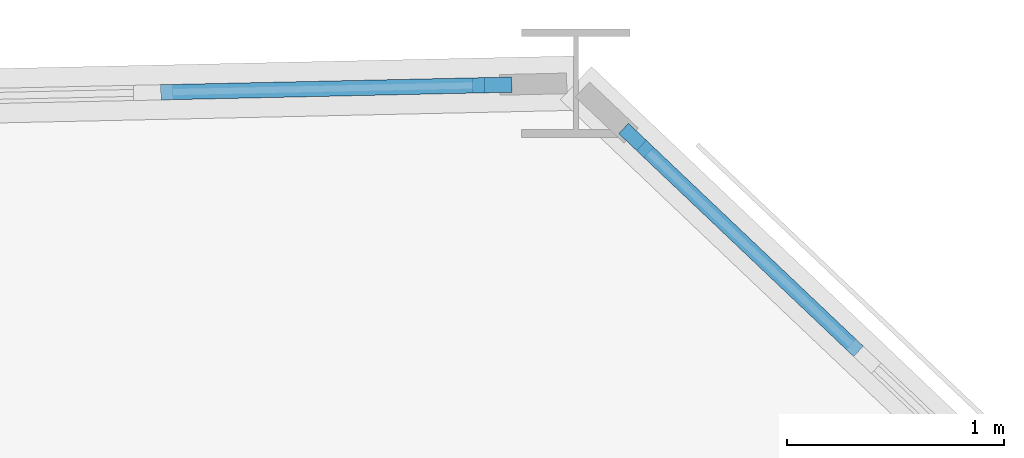
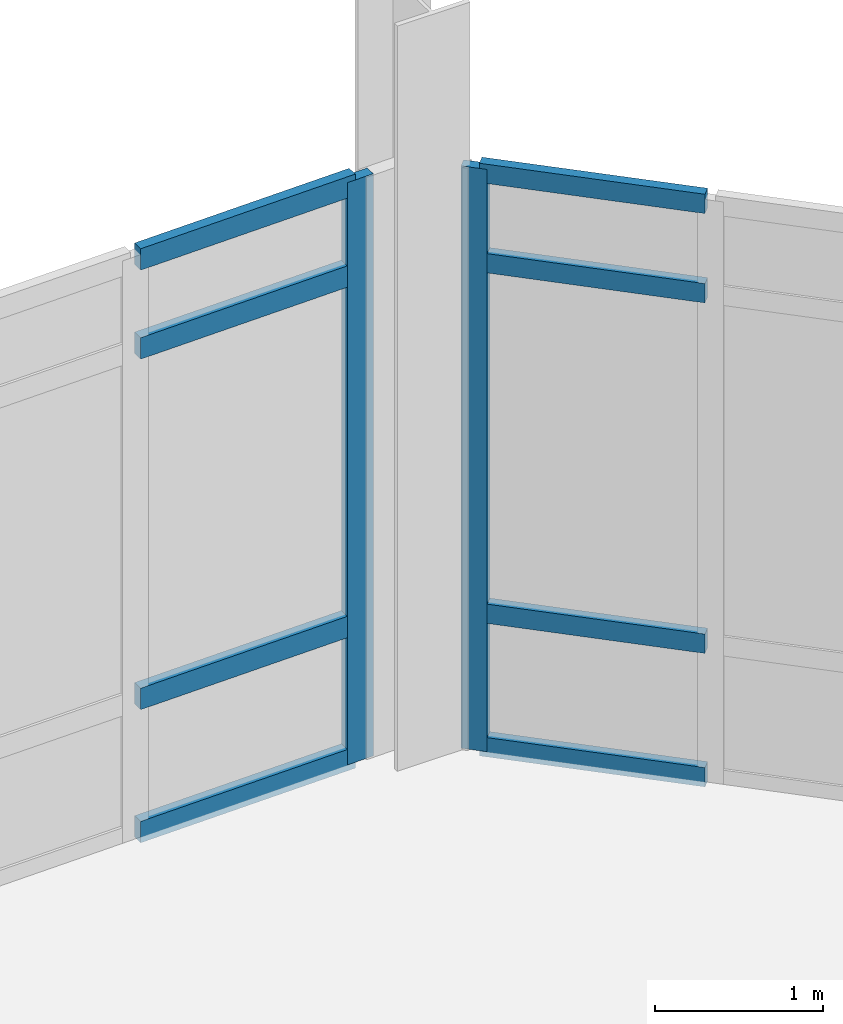
# One storey, part 42 of 113: 10 members, 2 elements without a shape of their own.
"""IFC4 building model written with IfcOpenShell, lengths in metres."""

from ifc_helpers import new_model, si_unit, direction, frame, origin, origin_2d, place, context, subcontext, project, spatial, rectangle, extrude, material, material_profile, profile_set, type_object, element, aggregate, save


model = new_model("IFC4")

# Units and contexts
model_context = context("Model", 3, precision=1e-05, world=origin(), true_north=direction((0.0, 1.0)))
body_context = subcontext(model_context, "Body", "Model", "MODEL_VIEW")
ifc_project = project(units=[si_unit("LENGTHUNIT", "METRE"), si_unit("AREAUNIT", "SQUARE_METRE"), si_unit("VOLUMEUNIT", "CUBIC_METRE"), si_unit("PLANEANGLEUNIT", "RADIAN"), si_unit("MASSUNIT", "GRAM", prefix="KILO")], contexts=[model_context])

# Site, building, storey
site_placement = place(None, origin())
site = spatial("IfcSite", under=ifc_project, at=site_placement, CompositionType="ELEMENT")
building_placement = place(site_placement, origin())
building = spatial("IfcBuilding", under=site, at=building_placement, Name="Tameran Prism Museum", CompositionType="ELEMENT")
storey_placement = place(building_placement, origin())
storey = spatial("IfcBuildingStorey", under=building, at=storey_placement, Name="L00", CompositionType="ELEMENT", Elevation=0.0)

# Curtain wall, member
ifc_material_1 = material(Name="Anodised Aluminium 6063-T6 and Cyclone Solar Glass", Category="aluminium")
curtain_wall_type_1 = type_object("IfcCurtainWallType", Name="CW-FAC-738x422", PredefinedType="USERDEFINED", material=ifc_material_1)
curtain_wall_1_placement = place(storey_placement, origin())
curtain_wall_1 = element("IfcCurtainWall", 1, at=curtain_wall_1_placement, inside=storey, type_object=curtain_wall_type_1, Name="Unitised Curtain Wall CW-031", ObjectType="UNITISED CURTAIN WALL", PredefinedType="USERDEFINED")
ifc_material_2 = material(Name="Anodised Aluminium Alloy 6063-T6", Category="aluminium")
ifc_material_profile_1 = material_profile(ifc_material_2, rectangle(XDim=0.06494140625, YDim=0.159912109375, at=origin_2d()))
ifc_profile_set_1 = profile_set([ifc_material_profile_1])
member_type_1 = type_object("IfcMemberType", Name="CW-MUL-A", PredefinedType="MULLION", material=ifc_profile_set_1)
member_1_placement = place(storey_placement, frame((96.07763671875, 48.336669921875, 0.0), z_axis=(0.0, 0.0, 1.0), x_axis=(0.688425100987, 0.725307438491, 0.0)))
member_1 = element("IfcMember", 2, at=member_1_placement, type_object=member_type_1, Name="CW-031 mullion 1", PredefinedType="MULLION", context=body_context, shape_type="SweptSolid", body=[
    extrude(rectangle(XDim=0.06494140625, YDim=0.159912109375, at=origin_2d()), origin(), (0.0, 0.0, 1.0), 4.219970703125),
])

ifc_material_3 = material(Name="Anodised Aluminium 6063-T6 and Cyclone Solar Glass", Category="aluminium")
curtain_wall_type_2 = type_object("IfcCurtainWallType", Name="CW-FAC-1754x422", PredefinedType="USERDEFINED", material=ifc_material_3)
curtain_wall_2_placement = place(storey_placement, origin())
curtain_wall_2 = element("IfcCurtainWall", 3, at=curtain_wall_2_placement, inside=storey, type_object=curtain_wall_type_2, Name="Unitised Curtain Wall CW-032", ObjectType="UNITISED CURTAIN WALL", PredefinedType="USERDEFINED")
ifc_material_4 = material(Name="Anodised Aluminium Alloy 6063-T6", Category="aluminium")
ifc_material_profile_2 = material_profile(ifc_material_4, rectangle(XDim=0.070068359375, YDim=0.179931640625, at=origin_2d()))
ifc_profile_set_2 = profile_set([ifc_material_profile_2])
member_type_2 = type_object("IfcMemberType", Name="CW-MUL-B", PredefinedType="MULLION", material=ifc_profile_set_2)
member_2_placement = place(storey_placement, frame((95.4150390625, 48.59130859375, 0.0), z_axis=(0.0, 0.0, 1.0), x_axis=(-0.021830600058, 0.999761684053, 0.0)))
member_2 = element("IfcMember", 4, at=member_2_placement, type_object=member_type_2, Name="CW-032 mullion 12", PredefinedType="MULLION", context=body_context, shape_type="SweptSolid", body=[
    extrude(rectangle(XDim=0.070068359375, YDim=0.179931640625, at=origin_2d()), origin(), (0.0, 0.0, 1.0), 4.219970703125),
])

# Member
ifc_material_5 = material(Name="Anodised Aluminium Alloy 6063-T6", Category="aluminium")
ifc_material_profile_3 = material_profile(ifc_material_5, rectangle(XDim=0.06494140625, YDim=0.139892578125, at=origin_2d()))
ifc_profile_set_3 = profile_set([ifc_material_profile_3])
member_type_3 = type_object("IfcMemberType", Name="CW-TRN-A", PredefinedType="USERDEFINED", material=ifc_profile_set_3)
member_3_placement = place(storey_placement, frame((96.10107421875, 48.314208984375, 0.032470703125), z_axis=(0.725384279452, -0.688344134227, 0.0), x_axis=(0.688344134227, 0.725384279452, 0.0)))
member_3 = element("IfcMember", 5, at=member_3_placement, type_object=member_type_3, Name="CW-031 transom 1.1", ObjectType="TRANSOM", PredefinedType="USERDEFINED", context=body_context, shape_type="SweptSolid", body=[
    extrude(rectangle(XDim=0.06494140625, YDim=0.139892578125, at=origin_2d()), origin(), (0.0, 0.0, 1.0), 1.377685546875),
])

member_4_placement = place(storey_placement, frame((96.10107421875, 48.314208984375, 1.0), z_axis=(0.725384279452, -0.688344134227, 0.0), x_axis=(0.688344134227, 0.725384279452, 0.0)))
member_4 = element("IfcMember", 6, at=member_4_placement, type_object=member_type_3, Name="CW-031 transom 1.2", ObjectType="TRANSOM", PredefinedType="USERDEFINED", context=body_context, shape_type="SweptSolid", body=[
    extrude(rectangle(XDim=0.06494140625, YDim=0.139892578125, at=origin_2d()), origin(), (0.0, 0.0, 1.0), 1.377685546875),
])

member_5_placement = place(storey_placement, frame((96.10107421875, 48.314208984375, 3.5400390625), z_axis=(0.725384279452, -0.688344134227, 0.0), x_axis=(0.688344134227, 0.725384279452, 0.0)))
member_5 = element("IfcMember", 7, at=member_5_placement, type_object=member_type_3, Name="CW-031 transom 1.3", ObjectType="TRANSOM", PredefinedType="USERDEFINED", context=body_context, shape_type="SweptSolid", body=[
    extrude(rectangle(XDim=0.06494140625, YDim=0.139892578125, at=origin_2d()), origin(), (0.0, 0.0, 1.0), 1.377685546875),
])

member_6_placement = place(storey_placement, frame((96.10107421875, 48.314208984375, 4.1875), z_axis=(0.725384279452, -0.688344134227, 0.0), x_axis=(0.688344134227, 0.725384279452, 0.0)))
member_6 = element("IfcMember", 8, at=member_6_placement, type_object=member_type_3, Name="CW-031 transom 1.4", ObjectType="TRANSOM", PredefinedType="USERDEFINED", context=body_context, shape_type="SweptSolid", body=[
    extrude(rectangle(XDim=0.06494140625, YDim=0.139892578125, at=origin_2d()), origin(), (0.0, 0.0, 1.0), 1.377685546875),
])

aggregate(curtain_wall_1, [member_1, member_3, member_4, member_5, member_6])

ifc_material_6 = material(Name="Anodised Aluminium Alloy 6063-T6", Category="aluminium")
ifc_material_profile_4 = material_profile(ifc_material_6, rectangle(XDim=0.070068359375, YDim=0.155029296875, at=origin_2d()))
ifc_profile_set_4 = profile_set([ifc_material_profile_4])
member_type_4 = type_object("IfcMemberType", Name="CW-TRN-B", PredefinedType="USERDEFINED", material=ifc_profile_set_4)
member_7_placement = place(storey_placement, frame((93.890380859375, 48.557861328125, 0.034912109375), z_axis=(0.999758966086, 0.021954720003, 0.0), x_axis=(-0.021954720003, 0.999758966086, 0.0)))
member_7 = element("IfcMember", 9, at=member_7_placement, type_object=member_type_4, Name="CW-032 transom 11.1", ObjectType="TRANSOM", PredefinedType="USERDEFINED", context=body_context, shape_type="SweptSolid", body=[
    extrude(rectangle(XDim=0.070068359375, YDim=0.155029296875, at=origin_2d()), origin(), (0.0, 0.0, 1.0), 1.489990234375),
])

member_8_placement = place(storey_placement, frame((93.890380859375, 48.557861328125, 1.0), z_axis=(0.999758966086, 0.021954720003, 0.0), x_axis=(-0.021954720003, 0.999758966086, 0.0)))
member_8 = element("IfcMember", 10, at=member_8_placement, type_object=member_type_4, Name="CW-032 transom 11.2", ObjectType="TRANSOM", PredefinedType="USERDEFINED", context=body_context, shape_type="SweptSolid", body=[
    extrude(rectangle(XDim=0.070068359375, YDim=0.155029296875, at=origin_2d()), origin(), (0.0, 0.0, 1.0), 1.489990234375),
])

member_9_placement = place(storey_placement, frame((93.890380859375, 48.557861328125, 3.5400390625), z_axis=(0.999758966086, 0.021954720003, 0.0), x_axis=(-0.021954720003, 0.999758966086, 0.0)))
member_9 = element("IfcMember", 11, at=member_9_placement, type_object=member_type_4, Name="CW-032 transom 11.3", ObjectType="TRANSOM", PredefinedType="USERDEFINED", context=body_context, shape_type="SweptSolid", body=[
    extrude(rectangle(XDim=0.070068359375, YDim=0.155029296875, at=origin_2d()), origin(), (0.0, 0.0, 1.0), 1.489990234375),
])

member_10_placement = place(storey_placement, frame((93.890380859375, 48.557861328125, 4.18505859375), z_axis=(0.999758966086, 0.021954720003, 0.0), x_axis=(-0.021954720003, 0.999758966086, 0.0)))
member_10 = element("IfcMember", 12, at=member_10_placement, type_object=member_type_4, Name="CW-032 transom 11.4", ObjectType="TRANSOM", PredefinedType="USERDEFINED", context=body_context, shape_type="SweptSolid", body=[
    extrude(rectangle(XDim=0.070068359375, YDim=0.155029296875, at=origin_2d()), origin(), (0.0, 0.0, 1.0), 1.489990234375),
])

aggregate(curtain_wall_2, [member_2, member_7, member_8, member_9, member_10])

save(model, "model.ifc")
